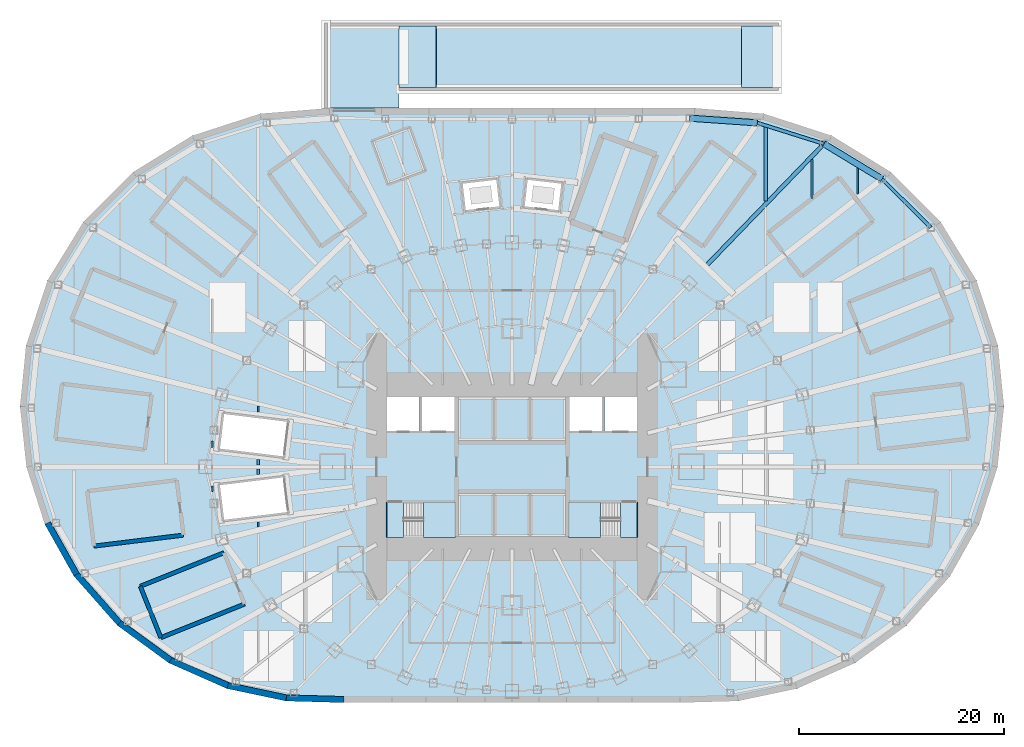
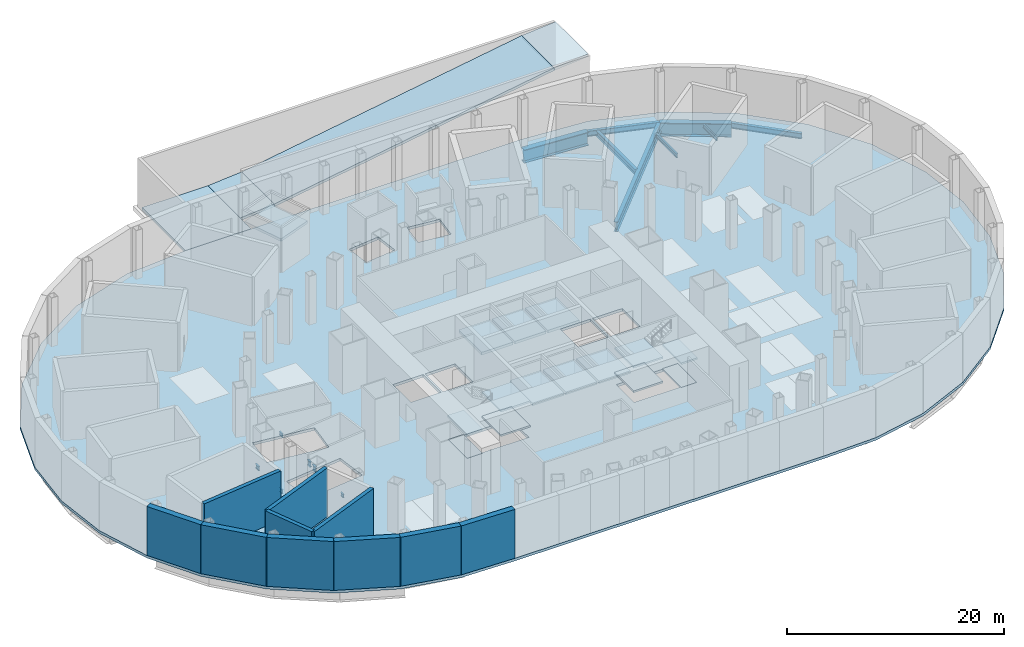
# One storey, part 9 of 19: 20 slabs, 14 beams, 10 walls, 2 elements without a shape of their own.
"""IFC4 building model written with IfcOpenShell, lengths in metres."""

from ifc_helpers import new_model, si_unit, direction, frame, frame_2d, origin, origin_2d, place, context, subcontext, project, spatial, polyline, rectangle, i_section, outline, extrude, material, layer, layer_set, material_profile, profile_set, type_object, element, aggregate, save


model = new_model("IFC4")

# Units and contexts
model_context = context("Model", 3, precision=1e-05, world=origin(), true_north=direction((0.0, 1.0)))
body_context = subcontext(model_context, "Body", "Model", "MODEL_VIEW")
ifc_project = project(units=[si_unit("LENGTHUNIT", "METRE"), si_unit("AREAUNIT", "SQUARE_METRE"), si_unit("VOLUMEUNIT", "CUBIC_METRE"), si_unit("PLANEANGLEUNIT", "RADIAN"), si_unit("MASSUNIT", "GRAM", prefix="KILO")], contexts=[model_context])

# Site, building, storey
site_placement = place(None, origin())
site = spatial("IfcSite", under=ifc_project, at=site_placement, CompositionType="ELEMENT")
building_placement = place(site_placement, origin())
building = spatial("IfcBuilding", under=site, at=building_placement, Name="Lantaw Convention Tower", CompositionType="ELEMENT")
storey_placement = place(building_placement, frame((0.0, 0.0, -5.5)))
storey = spatial("IfcBuildingStorey", under=building, at=storey_placement, Name="B1", CompositionType="ELEMENT", Elevation=-5.5)

# Beams
ifc_material_1 = material(Name="Steel ASTM A572 Grade 50", Category="steel")
ifc_material_profile_1 = material_profile(ifc_material_1, i_section(OverallWidth=0.60009765625, OverallDepth=1.5, WebThickness=0.02490234375, FlangeThickness=0.06005859375, at=origin_2d()), Name="PG1500X600X25X60")
ifc_profile_set_1 = profile_set([ifc_material_profile_1], Name="Steel ASTM A572 Grade 50")
beam_type_1 = type_object("IfcBeamType", Name="Beam E PG1500X600X25X60", PredefinedType="SPANDREL", material=ifc_profile_set_1)
beam_1_placement = place(storey_placement, frame((36.107666015625, 28.081298828125, -1.050048828125), z_axis=(-0.855269526547, 0.518183400893, 0.0), x_axis=(-0.518183400893, -0.855269526547, 0.0)))
element("IfcBeam", 1, at=beam_1_placement, inside=storey, type_object=beam_type_1, Name="Podium edge beam B02", PredefinedType="SPANDREL", context=body_context, shape_type="SweptSolid", body=[
    extrude(i_section(OverallWidth=0.60009765625, OverallDepth=1.5, WebThickness=0.02490234375, FlangeThickness=0.06005859375, at=origin_2d()), origin(), (0.0, 0.0, 1.0), 6.63134765625),
])
beam_2_placement = place(storey_placement, frame((23.940185546875, 33.562744140625, -1.050048828125), z_axis=(-0.997615470709, 0.069017190627, 0.0), x_axis=(-0.069017190627, -0.997615470709, 0.0)))
element("IfcBeam", 2, at=beam_2_placement, inside=storey, type_object=beam_type_1, Name="Podium edge beam B03", PredefinedType="SPANDREL", context=body_context, shape_type="SweptSolid", body=[
    extrude(i_section(OverallWidth=0.60009765625, OverallDepth=1.5, WebThickness=0.02490234375, FlangeThickness=0.06005859375, at=origin_2d()), origin(), (0.0, 0.0, 1.0), 6.6220703125),
])
ifc_material_2 = material(Name="Steel ASTM A992", Category="steel")
ifc_material_profile_2 = material_profile(ifc_material_2, i_section(OverallWidth=0.3251953125, OverallDepth=0.612060546875, WebThickness=0.0126953125, FlangeThickness=0.01904296875, FilletRadius=0.0126953125, at=origin_2d()), Name="W24X104")
ifc_profile_set_2 = profile_set([ifc_material_profile_2], Name="Steel ASTM A992")
beam_type_2 = type_object("IfcBeamType", Name="Beam E W24X104", PredefinedType="SPANDREL", material=ifc_profile_set_2)
beam_3_placement = place(storey_placement, frame((40.864013671875, 23.350830078125, -0.60595703125), z_axis=(-0.709033046271, 0.705175254314, 0.0), x_axis=(-0.705175254314, -0.709033046271, 0.0)))
element("IfcBeam", 3, at=beam_3_placement, inside=storey, type_object=beam_type_2, Name="Podium edge beam R02", PredefinedType="SPANDREL", context=body_context, shape_type="SweptSolid", body=[
    extrude(i_section(OverallWidth=0.3251953125, OverallDepth=0.612060546875, WebThickness=0.0126953125, FlangeThickness=0.01904296875, FilletRadius=0.0126953125, at=origin_2d()), origin(), (0.0, 0.0, 1.0), 6.708251953125),
])
beam_4_placement = place(storey_placement, frame((30.43603515625, 31.517578125, -0.60595703125), z_axis=(-0.953841834513, 0.300309431643, 0.0), x_axis=(-0.300309431643, -0.953841834513, 0.0)))
element("IfcBeam", 4, at=beam_4_placement, inside=storey, type_object=beam_type_2, Name="Podium edge beam R03", PredefinedType="SPANDREL", context=body_context, shape_type="SweptSolid", body=[
    extrude(i_section(OverallWidth=0.3251953125, OverallDepth=0.612060546875, WebThickness=0.0126953125, FlangeThickness=0.01904296875, FilletRadius=0.0126953125, at=origin_2d()), origin(), (0.0, 0.0, 1.0), 6.810302734375),
])
ifc_material_profile_3 = material_profile(ifc_material_2, i_section(OverallWidth=0.140380859375, OverallDepth=0.40380859375, WebThickness=0.007080078125, FlangeThickness=0.01123046875, FilletRadius=0.01025390625, at=origin_2d()), Name="W16X31")
ifc_profile_set_3 = profile_set([ifc_material_profile_3], Name="Steel ASTM A992")
beam_type_3 = type_object("IfcBeamType", Name="Beam J W16X31", PredefinedType="JOIST", material=ifc_profile_set_3)
beam_5_placement = place(storey_placement, frame((-24.75, -5.861572265625, -0.501953125), z_axis=(0.0, 1.0, 0.0), x_axis=(-1.0, 0.0, 0.0)))
element("IfcBeam", 5, at=beam_5_placement, inside=storey, type_object=beam_type_3, Name="Floor joist", PredefinedType="JOIST", context=body_context, shape_type="SweptSolid", body=[
    extrude(i_section(OverallWidth=0.140380859375, OverallDepth=0.40380859375, WebThickness=0.007080078125, FlangeThickness=0.01123046875, FilletRadius=0.01025390625, at=origin_2d()), origin(), (0.0, 0.0, 1.0), 0.50537109375),
])
beam_6_placement = place(storey_placement, frame((-24.75, 5.356201171875, -0.501953125), z_axis=(0.0, 1.0, 0.0), x_axis=(-1.0, 0.0, 0.0)))
element("IfcBeam", 6, at=beam_6_placement, inside=storey, type_object=beam_type_3, Name="Floor joist", PredefinedType="JOIST", context=body_context, shape_type="SweptSolid", body=[
    extrude(i_section(OverallWidth=0.140380859375, OverallDepth=0.40380859375, WebThickness=0.007080078125, FlangeThickness=0.01123046875, FilletRadius=0.01025390625, at=origin_2d()), origin(), (0.0, 0.0, 1.0), 0.59619140625),
])
beam_7_placement = place(storey_placement, frame((33.75, 26.627685546875, -0.501953125), z_axis=(0.0, 1.0, 0.0), x_axis=(-1.0, 0.0, 0.0)))
element("IfcBeam", 7, at=beam_7_placement, inside=storey, type_object=beam_type_3, Name="Floor joist", PredefinedType="JOIST", context=body_context, shape_type="SweptSolid", body=[
    extrude(i_section(OverallWidth=0.140380859375, OverallDepth=0.40380859375, WebThickness=0.007080078125, FlangeThickness=0.01123046875, FilletRadius=0.01025390625, at=origin_2d()), origin(), (0.0, 0.0, 1.0), 2.53125),
])
ifc_material_profile_4 = material_profile(ifc_material_2, i_section(OverallWidth=0.15234375, OverallDepth=0.449462890625, WebThickness=0.007568359375, FlangeThickness=0.0107421875, FilletRadius=0.01025390625, at=origin_2d()), Name="W18X35")
ifc_profile_set_4 = profile_set([ifc_material_profile_4], Name="Steel ASTM A992")
beam_type_4 = type_object("IfcBeamType", Name="Beam J W18X35", PredefinedType="JOIST", material=ifc_profile_set_4)
beam_8_placement = place(storey_placement, frame((-29.25, -2.420166015625, -0.52490234375), z_axis=(0.0, 1.0, 0.0), x_axis=(-1.0, 0.0, 0.0)))
element("IfcBeam", 8, at=beam_8_placement, inside=storey, type_object=beam_type_4, Name="Floor joist", PredefinedType="JOIST", context=body_context, shape_type="SweptSolid", body=[
    extrude(i_section(OverallWidth=0.15234375, OverallDepth=0.449462890625, WebThickness=0.007568359375, FlangeThickness=0.0107421875, FilletRadius=0.01025390625, at=origin_2d()), origin(), (0.0, 0.0, 1.0), 0.54150390625),
])
ifc_material_profile_5 = material_profile(ifc_material_2, i_section(OverallWidth=0.1904296875, OverallDepth=0.457275390625, WebThickness=0.009033203125, FlangeThickness=0.014404296875, FilletRadius=0.01025390625, at=origin_2d()), Name="W18X50")
ifc_profile_set_5 = profile_set([ifc_material_profile_5], Name="Steel ASTM A992")
beam_type_5 = type_object("IfcBeamType", Name="Beam J W18X50", PredefinedType="JOIST", material=ifc_profile_set_5)
beam_9_placement = place(storey_placement, frame((-29.25, 1.878662109375, -0.528564453125), z_axis=(0.0, 1.0, 0.0), x_axis=(-1.0, 0.0, 0.0)))
element("IfcBeam", 9, at=beam_9_placement, inside=storey, type_object=beam_type_5, Name="Floor joist", PredefinedType="JOIST", context=body_context, shape_type="SweptSolid", body=[
    extrude(i_section(OverallWidth=0.1904296875, OverallDepth=0.457275390625, WebThickness=0.009033203125, FlangeThickness=0.014404296875, FilletRadius=0.01025390625, at=origin_2d()), origin(), (0.0, 0.0, 1.0), 0.642578125),
])
beam_10_placement = place(storey_placement, frame((29.25, 26.16845703125, -0.528564453125), z_axis=(0.0, 1.0, 0.0), x_axis=(-1.0, 0.0, 0.0)))
element("IfcBeam", 10, at=beam_10_placement, inside=storey, type_object=beam_type_5, Name="Floor joist", PredefinedType="JOIST", context=body_context, shape_type="SweptSolid", body=[
    extrude(i_section(OverallWidth=0.1904296875, OverallDepth=0.457275390625, WebThickness=0.009033203125, FlangeThickness=0.014404296875, FilletRadius=0.01025390625, at=origin_2d()), origin(), (0.0, 0.0, 1.0), 3.830078125),
])
ifc_material_profile_6 = material_profile(ifc_material_2, i_section(OverallWidth=0.3251953125, OverallDepth=0.612060546875, WebThickness=0.0126953125, FlangeThickness=0.01904296875, FilletRadius=0.0126953125, at=origin_2d()), Name="W24X104")
ifc_profile_set_6 = profile_set([ifc_material_profile_6], Name="Steel ASTM A992")
beam_type_6 = type_object("IfcBeamType", Name="Beam J W24X104", PredefinedType="JOIST", material=ifc_profile_set_6)
beam_11_placement = place(storey_placement, frame((24.75, 25.920166015625, -0.60595703125), z_axis=(0.0, 1.0, 0.0), x_axis=(-1.0, 0.0, 0.0)))
element("IfcBeam", 11, at=beam_11_placement, inside=storey, type_object=beam_type_6, Name="Floor joist", PredefinedType="JOIST", context=body_context, shape_type="SweptSolid", body=[
    extrude(i_section(OverallWidth=0.3251953125, OverallDepth=0.612060546875, WebThickness=0.0126953125, FlangeThickness=0.01904296875, FilletRadius=0.0126953125, at=origin_2d()), origin(), (0.0, 0.0, 1.0), 7.21728515625),
])
ifc_material_profile_7 = material_profile(ifc_material_2, i_section(OverallWidth=0.22900390625, OverallDepth=0.612060546875, WebThickness=0.011962890625, FlangeThickness=0.01953125, FilletRadius=0.0126953125, at=origin_2d()), Name="W24X84")
ifc_profile_set_7 = profile_set([ifc_material_profile_7], Name="Steel ASTM A992")
beam_type_7 = type_object("IfcBeamType", Name="Beam J W24X84", PredefinedType="JOIST", material=ifc_profile_set_7)
for number, where, z_axis, x_axis, name in (
    (12, (-24.75, -0.7216796875, -0.60595703125), (0.0, 1.0, 0.0), (-1.0, 0.0, 0.0), "Floor joist"),
    (13, (-24.75, 0.201904296875, -0.60595703125), (0.0, 1.0, 0.0), (-1.0, 0.0, 0.0), "Floor joist"),
):
    element("IfcBeam", number, at=place(storey_placement, frame(where, z_axis=z_axis, x_axis=x_axis)), inside=storey, type_object=beam_type_7, Name=name, PredefinedType="JOIST", context=body_context, shape_type="SweptSolid", body=[
        extrude(i_section(OverallWidth=0.22900390625, OverallDepth=0.612060546875, WebThickness=0.011962890625, FlangeThickness=0.01953125, FilletRadius=0.0126953125, at=origin_2d()), origin(), (0.0, 0.0, 1.0), 0.519775390625),
    ])
ifc_material_profile_8 = material_profile(ifc_material_2, i_section(OverallWidth=0.40380859375, OverallDepth=1.11767578125, WebThickness=0.026123046875, FlangeThickness=0.044921875, FilletRadius=0.02001953125, at=origin_2d()), Name="W44X335")
ifc_profile_set_8 = profile_set([ifc_material_profile_8], Name="Steel ASTM A992")
beam_type_8 = type_object("IfcBeamType", Name="Beam PG W44X335", PredefinedType="BEAM", material=ifc_profile_set_8)
beam_12_placement = place(storey_placement, frame((18.853759765625, 19.523681640625, -0.85888671875), z_axis=(0.694655397028, 0.719342671736, 0.0), x_axis=(-0.719342671736, 0.694655397028, 0.0)))
element("IfcBeam", 14, at=beam_12_placement, inside=storey, type_object=beam_type_8, Name="Podium girder PR04", PredefinedType="BEAM", context=body_context, shape_type="SweptSolid", body=[
    extrude(i_section(OverallWidth=0.40380859375, OverallDepth=1.11767578125, WebThickness=0.026123046875, FlangeThickness=0.044921875, FilletRadius=0.02001953125, at=origin_2d()), origin(), (0.0, 0.0, 1.0), 16.67333984375),
])

# Slabs
ifc_material_3 = material(Name="Concrete C35/45", Category="concrete")
ifc_layer_1 = layer(ifc_material_3, 0.300048828125)
ifc_layer_set_1 = layer_set([ifc_layer_1], Name="Floor slab 300")
slab_type_1 = type_object("IfcSlabType", Name="Floor slab 300", PredefinedType="FLOOR", material=ifc_layer_set_1)
slab_1_placement = place(storey_placement, frame((0.0, 0.0, -0.300048828125)))
element("IfcSlab", 15, at=slab_1_placement, inside=storey, type_object=slab_type_1, Name="B1 floor slab", PredefinedType="FLOOR", context=body_context, shape_type="SweptSolid", body=[
    extrude(outline(polyline([(45.580322265625, -5.5966796875), (47.37255859375, 0.0), (47.999755859375, 5.8935546875), (47.409912109375, 11.820556640625), (45.313232421875, 18.190673828125), (41.819091796875, 23.896728515625), (36.97607421875, 28.756591796875), (31.2001953125, 32.308837890625), (24.578857421875, 34.458251953125), (17.83349609375, 35.0), (-17.83349609375, 35.0), (-24.578857421875, 34.458251953125), (-31.2001953125, 32.308837890625), (-36.97607421875, 28.756591796875), (-41.819091796875, 23.896728515625), (-45.313232421875, 18.190673828125), (-47.409912109375, 11.820556640625), (-47.999755859375, 5.8935546875), (-47.37255859375, 0.0), (-45.580322265625, -5.5966796875), (-42.73974609375, -10.65625), (-38.50732421875, -15.45849609375), (-33.4755859375, -19.12890625), (-27.811279296875, -21.62890625), (-22.054931640625, -22.838623046875), (-16.40576171875, -23.0), (16.40576171875, -23.0), (22.054931640625, -22.838623046875), (27.811279296875, -21.62890625), (33.4755859375, -19.12890625), (38.50732421875, -15.458251953125), (42.73974609375, -10.65625), (45.580322265625, -5.5966796875)]), holes=[polyline([(-5.60009765625, -3.5), (-12.199951171875, -3.5), (-12.199951171875, -6.800048828125), (-5.60009765625, -6.800048828125), (-5.60009765625, -3.5)]), polyline([(12.199951171875, -3.5), (5.60009765625, -3.5), (5.60009765625, -6.800048828125), (12.199951171875, -6.800048828125), (12.199951171875, -3.5)]), polyline([(-28.080322265625, -5.16064453125), (-21.926513671875, -4.405029296875), (-22.341064453125, -1.0302734375), (-28.49462890625, -1.785888671875), (-28.080322265625, -5.16064453125)]), polyline([(-28.080322265625, 5.16064453125), (-28.49462890625, 1.785888671875), (-22.341064453125, 1.0302734375), (-21.926513671875, 4.405029296875), (-28.080322265625, 5.16064453125)]), polyline([(-9.0, 3.5), (-9.0, 6.800048828125), (-12.199951171875, 6.800048828125), (-12.199951171875, 3.5), (-9.0, 3.5)]), polyline([(-5.60009765625, 6.800048828125), (-8.800048828125, 6.800048828125), (-8.800048828125, 3.5), (-5.60009765625, 3.5), (-5.60009765625, 6.800048828125)]), polyline([(8.800048828125, 6.800048828125), (5.60009765625, 6.800048828125), (5.60009765625, 3.5), (8.800048828125, 3.5), (8.800048828125, 6.800048828125)]), polyline([(12.199951171875, 6.800048828125), (9.0, 6.800048828125), (9.0, 3.5), (12.199951171875, 3.5), (12.199951171875, 6.800048828125)]), polyline([(-1.5302734375, 28.0068359375), (-4.80908203125, 27.63330078125), (-4.5146484375, 25.050048828125), (-1.236083984375, 25.423583984375), (-1.5302734375, 28.0068359375)]), polyline([(4.80908203125, 27.63330078125), (1.5302734375, 28.0068359375), (1.236083984375, 25.423583984375), (4.5146484375, 25.050048828125), (4.80908203125, 27.63330078125)])]), origin(), (0.0, 0.0, 1.0), 0.300048828125),
])
ifc_material_4 = material(Name="Concrete C40/50", Category="concrete")
ifc_layer_2 = layer(ifc_material_4, 0.300048828125)
ifc_layer_set_2 = layer_set([ifc_layer_2], Name="Lift pit slab 300")
slab_type_2 = type_object("IfcSlabType", Name="Lift pit slab 300", PredefinedType="BASESLAB", material=ifc_layer_set_2)
slab_2_placement = place(storey_placement, frame((0.0, 0.0, 3.39990234375)))
element("IfcSlab", 16, at=slab_2_placement, inside=storey, type_object=slab_type_2, Name="Lift pit N1", PredefinedType="BASESLAB", context=body_context, shape_type="SweptSolid", body=[
    extrude(outline(polyline([(-5.199951171875, 2.60009765625), (-1.86669921875, 2.60009765625), (-1.86669921875, 6.800048828125), (-5.199951171875, 6.800048828125), (-5.199951171875, 2.60009765625)])), origin(), (0.0, 0.0, 1.0), 0.300048828125),
])
slab_3_placement = place(storey_placement, frame((0.0, 0.0, 3.39990234375)))
element("IfcSlab", 17, at=slab_3_placement, inside=storey, type_object=slab_type_2, Name="Lift pit H1", PredefinedType="BASESLAB", context=body_context, shape_type="SweptSolid", body=[
    extrude(outline(polyline([(-5.199951171875, -6.800048828125), (-1.86669921875, -6.800048828125), (-1.86669921875, -2.60009765625), (-5.199951171875, -2.60009765625), (-5.199951171875, -6.800048828125)])), origin(), (0.0, 0.0, 1.0), 0.300048828125),
])
slab_4_placement = place(storey_placement, frame((0.0, 0.0, 3.39990234375)))
element("IfcSlab", 18, at=slab_4_placement, inside=storey, type_object=slab_type_2, Name="Lift pit N2", PredefinedType="BASESLAB", context=body_context, shape_type="SweptSolid", body=[
    extrude(outline(polyline([(-1.666748046875, 2.60009765625), (1.666748046875, 2.60009765625), (1.666748046875, 6.800048828125), (-1.666748046875, 6.800048828125), (-1.666748046875, 2.60009765625)])), origin(), (0.0, 0.0, 1.0), 0.300048828125),
])
slab_5_placement = place(storey_placement, frame((0.0, 0.0, 3.39990234375)))
element("IfcSlab", 19, at=slab_5_placement, inside=storey, type_object=slab_type_2, Name="Lift pit H2", PredefinedType="BASESLAB", context=body_context, shape_type="SweptSolid", body=[
    extrude(outline(polyline([(-1.666748046875, -6.800048828125), (1.666748046875, -6.800048828125), (1.666748046875, -2.60009765625), (-1.666748046875, -2.60009765625), (-1.666748046875, -6.800048828125)])), origin(), (0.0, 0.0, 1.0), 0.300048828125),
])
slab_6_placement = place(storey_placement, frame((0.0, 0.0, 3.39990234375)))
element("IfcSlab", 20, at=slab_6_placement, inside=storey, type_object=slab_type_2, Name="Lift pit N3", PredefinedType="BASESLAB", context=body_context, shape_type="SweptSolid", body=[
    extrude(outline(polyline([(1.86669921875, 2.60009765625), (5.199951171875, 2.60009765625), (5.199951171875, 6.800048828125), (1.86669921875, 6.800048828125), (1.86669921875, 2.60009765625)])), origin(), (0.0, 0.0, 1.0), 0.300048828125),
])
slab_7_placement = place(storey_placement, frame((0.0, 0.0, 3.39990234375)))
element("IfcSlab", 21, at=slab_7_placement, inside=storey, type_object=slab_type_2, Name="Lift pit H3", PredefinedType="BASESLAB", context=body_context, shape_type="SweptSolid", body=[
    extrude(outline(polyline([(1.86669921875, -6.800048828125), (5.199951171875, -6.800048828125), (5.199951171875, -2.60009765625), (1.86669921875, -2.60009765625), (1.86669921875, -6.800048828125)])), origin(), (0.0, 0.0, 1.0), 0.300048828125),
])
slab_8_placement = place(storey_placement, frame((0.0, 0.0, 3.39990234375)))
element("IfcSlab", 22, at=slab_8_placement, inside=storey, type_object=slab_type_2, Name="Lift pit GL1", PredefinedType="BASESLAB", context=body_context, shape_type="SweptSolid", body=[
    extrude(outline(polyline([(-8.50927734375, 28.9345703125), (-10.01416015625, 33.0693359375), (-13.585205078125, 31.76953125), (-12.080322265625, 27.635009765625), (-8.50927734375, 28.9345703125)])), origin(), (0.0, 0.0, 1.0), 0.300048828125),
])
ifc_layer_3 = layer(ifc_material_4, 0.300048828125)
ifc_layer_set_3 = layer_set([ifc_layer_3], Name="Ramp landing 300")
slab_type_3 = type_object("IfcSlabType", Name="Ramp landing 300", PredefinedType="LANDING", material=ifc_layer_set_3)
slab_9_placement = place(storey_placement, frame((0.0, 0.0, -0.300048828125)))
element("IfcSlab", 23, at=slab_9_placement, inside=storey, type_object=slab_type_3, Name="Ramp landing", PredefinedType="LANDING", context=body_context, shape_type="SweptSolid", body=[
    extrude(outline(polyline([(-18.0, 35.0), (-11.0, 35.0), (-11.0, 43.0), (-18.0, 43.0), (-18.0, 35.0)])), origin(), (0.0, 0.0, 1.0), 0.300048828125),
])
ifc_layer_4 = layer(ifc_material_4, 0.300048828125)
ifc_layer_set_4 = layer_set([ifc_layer_4], Name="Concrete C40/50 ramp slab 300")
slab_type_4 = type_object("IfcSlabType", Name="Ramp slab 300", PredefinedType="FLOOR", material=ifc_layer_set_4)
slab_10_placement = place(storey_placement, frame((26.0, 37.0, 5.5), z_axis=(-0.083056665618, 0.0, 0.996544826035), x_axis=(-0.996544826035, 0.0, -0.083056665618)))
element("IfcSlab", 24, at=slab_10_placement, inside=storey, type_object=slab_type_4, Name="Car park ramp slab F1", PredefinedType="FLOOR", context=body_context, shape_type="SweptSolid", body=[
    extrude(outline(polyline([(0.0, 0.0), (3.6125797477420383, 0.0), (3.6125797477420383, -5.999999999999999), (0.0, -5.999999999999999), (0.0, 0.0)])), origin(), (0.0, 0.0, -1.0), 0.300048828125),
])
slab_11_placement = place(storey_placement, frame((22.39990234375, 37.0, 5.199951171875), z_axis=(-0.162248653031, 0.0, 0.986749904783), x_axis=(-0.986749904783, 0.0, -0.162248653031)))
element("IfcSlab", 25, at=slab_11_placement, inside=storey, type_object=slab_type_4, Name="Car park ramp slab F2", PredefinedType="FLOOR", context=body_context, shape_type="SweptSolid", body=[
    extrude(outline(polyline([(0.0, 0.0), (30.199956993205035, 0.0), (30.199956993205035, -6.0), (0.0, -6.0), (0.0, 0.0)])), origin(), (0.0, 0.0, -1.0), 0.300048828125),
])
slab_12_placement = place(storey_placement, frame((-7.39990234375, 37.0, 0.300048828125), z_axis=(-0.083056665618, 0.0, 0.996544826035), x_axis=(-0.996544826035, 0.0, -0.083056665618)))
element("IfcSlab", 26, at=slab_12_placement, inside=storey, type_object=slab_type_4, Name="Car park ramp slab F3", PredefinedType="FLOOR", context=body_context, shape_type="SweptSolid", body=[
    extrude(outline(polyline([(0.0, 0.0), (3.6125797477420383, 0.0), (3.6125797477420383, -5.999999999999999), (0.0, -5.999999999999999), (0.0, 0.0)])), origin(), (0.0, 0.0, -1.0), 0.300048828125),
])

# Stair, slabs
stair_type = type_object("IfcStairType", Name="Exit stair 1500 riser 171.88 in 4 flights", PredefinedType="HALF_TURN_STAIR", material=ifc_material_3)
stair_1_placement = place(storey_placement, origin())
stair_1 = element("IfcStair", 27, at=stair_1_placement, inside=storey, type_object=stair_type, Name="Exit stair S1 B1", PredefinedType="HALF_TURN_STAIR")
ifc_layer_5 = layer(ifc_material_3, 0.199951171875)
ifc_layer_set_5 = layer_set([ifc_layer_5], Name="Stair landing 200")
slab_type_5 = type_object("IfcSlabType", Name="Stair landing 200", PredefinedType="LANDING", material=ifc_layer_set_5)
slab_13_placement = place(storey_placement, frame((0.0, 0.0, -0.199951171875)))
slab_13 = element("IfcSlab", 28, at=slab_13_placement, type_object=slab_type_5, Name="S1 landing 1", PredefinedType="LANDING", context=body_context, shape_type="SweptSolid", body=[
    extrude(outline(polyline([(-12.199951171875, -6.89990234375), (-10.580078125, -6.89990234375), (-10.580078125, -3.39990234375), (-12.199951171875, -3.39990234375), (-12.199951171875, -6.89990234375)])), origin(), (0.0, 0.0, 1.0), 0.199951171875),
])
slab_14_placement = place(storey_placement, frame((0.0, 0.0, 1.175048828125)))
slab_14 = element("IfcSlab", 29, at=slab_14_placement, type_object=slab_type_5, Name="S1 landing 2", PredefinedType="LANDING", context=body_context, shape_type="SweptSolid", body=[
    extrude(outline(polyline([(-8.6201171875, -6.89990234375), (-5.5, -6.89990234375), (-5.5, -3.39990234375), (-8.6201171875, -3.39990234375), (-8.6201171875, -6.89990234375)])), origin(), (0.0, 0.0, 1.0), 0.199951171875),
])
slab_15_placement = place(storey_placement, frame((0.0, 0.0, 2.550048828125)))
slab_15 = element("IfcSlab", 30, at=slab_15_placement, type_object=slab_type_5, Name="S1 landing 3", PredefinedType="LANDING", context=body_context, shape_type="SweptSolid", body=[
    extrude(outline(polyline([(-12.300048828125, -6.89990234375), (-10.580078125, -6.89990234375), (-10.580078125, -3.39990234375), (-12.300048828125, -3.39990234375), (-12.300048828125, -6.89990234375)])), origin(), (0.0, 0.0, 1.0), 0.199951171875),
])
slab_16_placement = place(storey_placement, frame((0.0, 0.0, 3.925048828125)))
slab_16 = element("IfcSlab", 31, at=slab_16_placement, type_object=slab_type_5, Name="S1 landing 4", PredefinedType="LANDING", context=body_context, shape_type="SweptSolid", body=[
    extrude(outline(polyline([(-8.6201171875, -6.89990234375), (-5.5, -6.89990234375), (-5.5, -3.39990234375), (-8.6201171875, -3.39990234375), (-8.6201171875, -6.89990234375)])), origin(), (0.0, 0.0, 1.0), 0.199951171875),
])
aggregate(stair_1, [slab_13, slab_14, slab_15, slab_16])

stair_2_placement = place(storey_placement, origin())
stair_2 = element("IfcStair", 32, at=stair_2_placement, inside=storey, type_object=stair_type, Name="Exit stair S2 B1", PredefinedType="HALF_TURN_STAIR")
slab_17_placement = place(storey_placement, frame((0.0, 0.0, -0.199951171875)))
slab_17 = element("IfcSlab", 33, at=slab_17_placement, type_object=slab_type_5, Name="S2 landing 1", PredefinedType="LANDING", context=body_context, shape_type="SweptSolid", body=[
    extrude(outline(polyline([(10.580078125, -6.89990234375), (12.199951171875, -6.89990234375), (12.199951171875, -3.39990234375), (10.580078125, -3.39990234375), (10.580078125, -6.89990234375)])), origin(), (0.0, 0.0, 1.0), 0.199951171875),
])
slab_18_placement = place(storey_placement, frame((0.0, 0.0, 1.175048828125)))
slab_18 = element("IfcSlab", 34, at=slab_18_placement, type_object=slab_type_5, Name="S2 landing 2", PredefinedType="LANDING", context=body_context, shape_type="SweptSolid", body=[
    extrude(outline(polyline([(5.5, -6.89990234375), (8.6201171875, -6.89990234375), (8.6201171875, -3.39990234375), (5.5, -3.39990234375), (5.5, -6.89990234375)])), origin(), (0.0, 0.0, 1.0), 0.199951171875),
])
slab_19_placement = place(storey_placement, frame((0.0, 0.0, 2.550048828125)))
slab_19 = element("IfcSlab", 35, at=slab_19_placement, type_object=slab_type_5, Name="S2 landing 3", PredefinedType="LANDING", context=body_context, shape_type="SweptSolid", body=[
    extrude(outline(polyline([(10.580078125, -6.89990234375), (12.300048828125, -6.89990234375), (12.300048828125, -3.39990234375), (10.580078125, -3.39990234375), (10.580078125, -6.89990234375)])), origin(), (0.0, 0.0, 1.0), 0.199951171875),
])
slab_20_placement = place(storey_placement, frame((0.0, 0.0, 3.925048828125)))
slab_20 = element("IfcSlab", 36, at=slab_20_placement, type_object=slab_type_5, Name="S2 landing 4", PredefinedType="LANDING", context=body_context, shape_type="SweptSolid", body=[
    extrude(outline(polyline([(5.5, -6.89990234375), (8.6201171875, -6.89990234375), (8.6201171875, -3.39990234375), (5.5, -3.39990234375), (5.5, -6.89990234375)])), origin(), (0.0, 0.0, 1.0), 0.199951171875),
])
aggregate(stair_2, [slab_17, slab_18, slab_19, slab_20])

# Walls
ifc_layer_6 = layer(ifc_material_4, 0.60009765625)
ifc_layer_set_6 = layer_set([ifc_layer_6], Name="Basement wall 600")
wall_type_1 = type_object("IfcWallType", Name="Basement wall 600", PredefinedType="SOLIDWALL", material=ifc_layer_set_6)
wall_1_placement = place(storey_placement, frame((-45.303955078125, -5.47607421875, 0.0), z_axis=(0.0, 0.0, 1.0), x_axis=(0.489552343526, -0.871973911851, 0.0)))
element("IfcWall", 37, at=wall_1_placement, inside=storey, type_object=wall_type_1, Name="Basement retaining wall 26", PredefinedType="SOLIDWALL", context=body_context, shape_type="SweptSolid", body=[
    extrude(rectangle(XDim=5.740478515625, YDim=0.60009765625, at=frame_2d((2.8701171875, 0.0))), origin(), (0.0, 0.0, 1.0), 5.5),
])
wall_2_placement = place(storey_placement, frame((-42.49365234375, -10.481689453125, 0.0), z_axis=(0.0, 0.0, 1.0), x_axis=(0.66120355744, -0.75020654198, 0.0)))
element("IfcWall", 38, at=wall_2_placement, inside=storey, type_object=wall_type_1, Name="Basement retaining wall 27", PredefinedType="SOLIDWALL", context=body_context, shape_type="SweptSolid", body=[
    extrude(rectangle(XDim=6.33642578125, YDim=0.60009765625, at=frame_2d((3.168212890625, 0.0))), origin(), (0.0, 0.0, 1.0), 5.5),
])
wall_3_placement = place(storey_placement, frame((-38.303955078125, -15.2353515625, 0.0), z_axis=(0.0, 0.0, 1.0), x_axis=(0.807901048768, -0.589318161437, 0.0)))
element("IfcWall", 39, at=wall_3_placement, inside=storey, type_object=wall_type_1, Name="Basement retaining wall 28", PredefinedType="SOLIDWALL", context=body_context, shape_type="SweptSolid", body=[
    extrude(rectangle(XDim=6.1630859375, YDim=0.60009765625, at=frame_2d((3.08154296875, 0.0))), origin(), (0.0, 0.0, 1.0), 5.5),
])
wall_4_placement = place(storey_placement, frame((-33.32470703125, -18.867431640625, 0.0), z_axis=(0.0, 0.0, 1.0), x_axis=(0.914848548113, -0.403797144636, 0.0)))
element("IfcWall", 40, at=wall_4_placement, inside=storey, type_object=wall_type_1, Name="Basement retaining wall 29", PredefinedType="SOLIDWALL", context=body_context, shape_type="SweptSolid", body=[
    extrude(rectangle(XDim=6.127685546875, YDim=0.60009765625, at=frame_2d((3.06396484375, 0.0))), origin(), (0.0, 0.0, 1.0), 5.5),
])
wall_5_placement = place(storey_placement, frame((-27.71875, -21.341796875, 0.0), z_axis=(0.0, 0.0, 1.0), x_axis=(0.978621781645, -0.205668199998, 0.0)))
element("IfcWall", 41, at=wall_5_placement, inside=storey, type_object=wall_type_1, Name="Basement retaining wall 30", PredefinedType="SOLIDWALL", context=body_context, shape_type="SweptSolid", body=[
    extrude(rectangle(XDim=5.82373046875, YDim=0.60009765625, at=frame_2d((2.911865234375, 0.0))), origin(), (0.0, 0.0, 1.0), 5.5),
])
wall_6_placement = place(storey_placement, frame((-22.01953125, -22.53955078125, 0.0), z_axis=(0.0, 0.0, 1.0), x_axis=(0.999592688558, -0.028538692699, 0.0)))
element("IfcWall", 42, at=wall_6_placement, inside=storey, type_object=wall_type_1, Name="Basement retaining wall 31", PredefinedType="SOLIDWALL", context=body_context, shape_type="SweptSolid", body=[
    extrude(rectangle(XDim=5.620361328125, YDim=0.60009765625, at=frame_2d((2.81005859375, 0.0))), origin(), (0.0, 0.0, 1.0), 5.5),
])
ifc_material_5 = material(Name="Concrete C40/50, stair core", Category="concrete")
ifc_layer_7 = layer(ifc_material_5, 0.39990234375)
ifc_layer_set_7 = layer_set([ifc_layer_7], Name="Stair core wall 400 EI 120")
wall_type_2 = type_object("IfcWallType", Name="Stair core wall 400 EI 120", PredefinedType="SHEAR", material=ifc_layer_set_7)
for number, where, z_axis, x_axis, name in (
    (43, (-40.784912109375, -7.72802734375, 0.0), (0.0, 0.0, 1.0), (0.992545280606, 0.121876437212, 0.0), "Stair core wall 400"),
    (44, (-28.0986328125, -8.37060546875, 0.0), (0.0, 0.0, 1.0), (-0.92801678004, -0.372538395288, 0.0), "Stair core wall 400"),
):
    element("IfcWall", number, at=place(storey_placement, frame(where, z_axis=z_axis, x_axis=x_axis)), inside=storey, type_object=wall_type_2, Name=name, PredefinedType="SHEAR", context=body_context, shape_type="SweptSolid", body=[
        extrude(rectangle(XDim=8.800048828125, YDim=0.39990234375, at=frame_2d((4.39990234375, 0.0))), origin(), (0.0, 0.0, 1.0), 5.5),
    ])
wall_7_placement = place(storey_placement, frame((-36.26513671875, -11.64892578125, 0.0), z_axis=(0.0, 0.0, 1.0), x_axis=(0.372544066459, -0.928014503414, 0.0)))
element("IfcWall", 45, at=wall_7_placement, inside=storey, type_object=wall_type_2, Name="Stair core wall 400", PredefinedType="SHEAR", context=body_context, shape_type="SweptSolid", body=[
    extrude(rectangle(XDim=5.39990234375, YDim=0.39990234375, at=frame_2d((2.699951171875, 0.0))), origin(), (0.0, 0.0, 1.0), 5.5),
])
wall_8_placement = place(storey_placement, frame((-34.25341796875, -16.66015625, 0.0), z_axis=(0.0, 0.0, 1.0), x_axis=(0.92801678004, 0.372538395288, 0.0)))
element("IfcWall", 46, at=wall_8_placement, inside=storey, type_object=wall_type_2, Name="Stair core wall 400", PredefinedType="SHEAR", context=body_context, shape_type="SweptSolid", body=[
    extrude(rectangle(XDim=8.800048828125, YDim=0.39990234375, at=frame_2d((4.39990234375, 0.0))), origin(), (0.0, 0.0, 1.0), 5.5),
])

save(model, "model.ifc")
